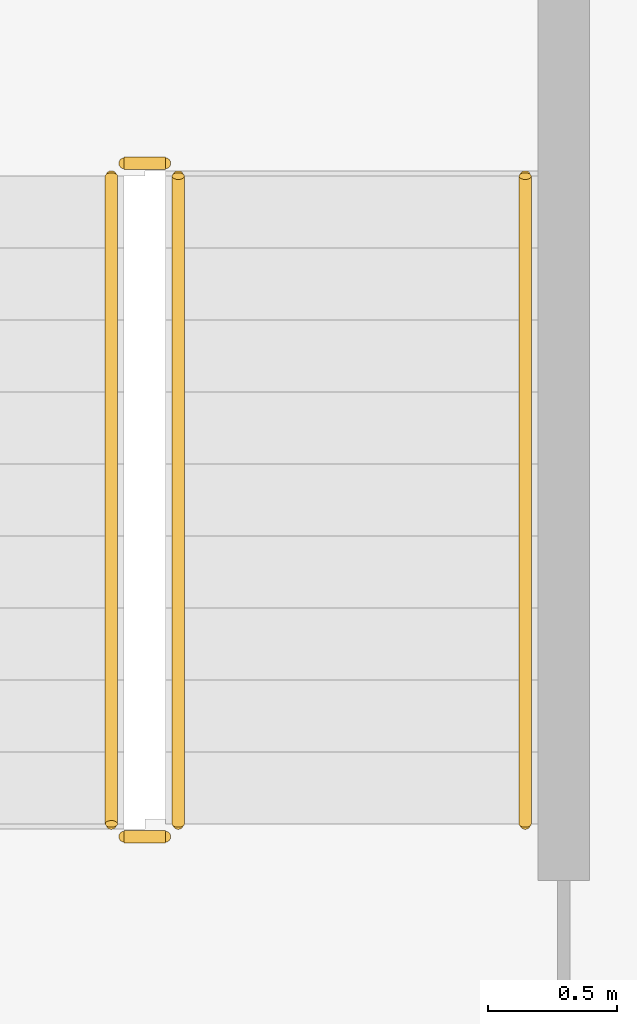
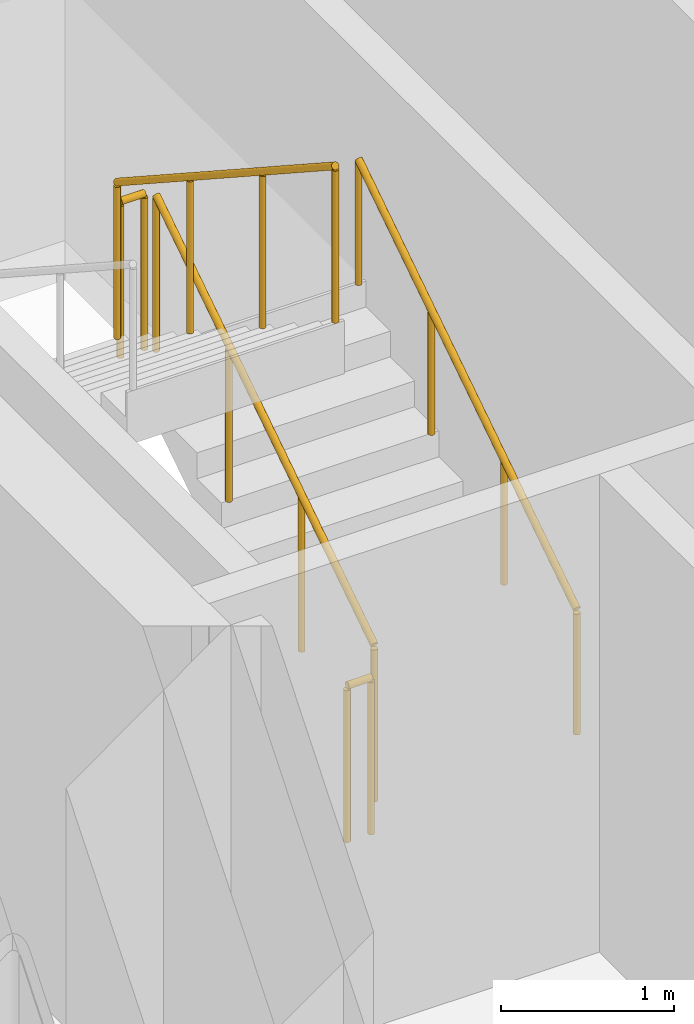
# One storey, part 10 of 12: 5 railings.
"""IFC4 building model written with IfcOpenShell, lengths in metres."""

import ifcopenshell
import ifcopenshell.guid

model = None  # the IFC model being written
_history = None  # IfcOwnerHistory: only IFC2X3 demands one
_inside = {}  # id of a spatial element -> (the spatial element, [elements in it])
_under = {}  # id of a project, library or spatial element -> (it, [spatial elements below it])
_declared = {}  # id of a project -> (the project, [libraries it declares])
_typed = {}  # id of a type object -> (the type object, [elements of that type])
_made_of = {}  # id of a material, layer set ... -> (it, [elements and type objects made of it])


def new_model(schema):
    """Start an empty IFC model of exactly this schema.

    Asked for "IFC4X3", IfcOpenShell would pick the latest addendum, in which some entities
    have other attributes; the version numbers below select the first issue.
    IFC2X3 requires an IfcOwnerHistory on every rooted entity: one is made here for all.
    """
    global model, _history
    if schema == "IFC4X3":
        model = ifcopenshell.file(schema_version=(4, 3, 0, 0))
    else:
        model = ifcopenshell.file(schema=schema)
    _inside.clear()
    _under.clear()
    _declared.clear()
    _typed.clear()
    _made_of.clear()
    _history = None
    if model.schema == "IFC2X3":
        org = make("IfcOrganization", Name="unknown")
        user = make(
            "IfcPersonAndOrganization",
            ThePerson=make("IfcPerson", FamilyName="unknown"),
            TheOrganization=org,
        )
        app = make(
            "IfcApplication",
            ApplicationDeveloper=org,
            Version="unknown",
            ApplicationFullName="unknown",
            ApplicationIdentifier="unknown",
        )
        _history = make(
            "IfcOwnerHistory",
            OwningUser=user,
            OwningApplication=app,
            ChangeAction="ADDED",
            CreationDate=0,
        )
    return model


def make(cls, **values):
    """One entity of the class cls with the attributes given. An attribute that is None is left unset."""
    return model.create_entity(
        cls, **{name: value for name, value in values.items() if value is not None}
    )


def rooted(cls, **values):
    """An entity with a GlobalId (a new one), such as an element, a storey or a relation."""
    return make(cls, GlobalId=ifcopenshell.guid.new(), OwnerHistory=_history, **values)


def si_unit(unit_type, name, prefix=None):
    """IfcSIUnit, for example si_unit("LENGTHUNIT", "METRE", prefix="MILLI")."""
    return make("IfcSIUnit", UnitType=unit_type, Prefix=prefix, Name=name)


def assignment(units):
    """IfcUnitAssignment: the units of a project."""
    return None if units is None else make("IfcUnitAssignment", Units=units)


def point(xyz):
    """IfcCartesianPoint."""
    return None if xyz is None else make("IfcCartesianPoint", Coordinates=xyz)


def direction(xyz):
    """IfcDirection."""
    return None if xyz is None else make("IfcDirection", DirectionRatios=xyz)


def frame(location, z_axis=None, x_axis=None):
    """IfcAxis2Placement3D, a coordinate frame: its origin and axes. An axis left out is left unset."""
    return make(
        "IfcAxis2Placement3D",
        Location=point(location),
        Axis=direction(z_axis),
        RefDirection=direction(x_axis),
    )


def frame_2d(location, x_axis=None):
    """IfcAxis2Placement2D, a coordinate frame in the plane: its origin and x axis."""
    return make(
        "IfcAxis2Placement2D", Location=point(location), RefDirection=direction(x_axis)
    )


def origin():
    """The frame at (0, 0, 0) with its axes left unset."""
    return frame((0.0, 0.0, 0.0))


def origin_2d():
    """The frame at (0, 0) in the plane with its x axis left unset."""
    return frame_2d((0.0, 0.0))


def place(relative_to, where):
    """IfcLocalPlacement: puts the frame where relative to a parent placement (None: the world)."""
    return make(
        "IfcLocalPlacement", PlacementRelTo=relative_to, RelativePlacement=where
    )


def context(
    kind, dimensions, precision=None, world=None, true_north=None, identifier=None
):
    """IfcGeometricRepresentationContext, for example the 3D "Model" context."""
    return make(
        "IfcGeometricRepresentationContext",
        ContextIdentifier=identifier,
        ContextType=kind,
        CoordinateSpaceDimension=dimensions,
        Precision=precision,
        WorldCoordinateSystem=world,
        TrueNorth=true_north,
    )


def subcontext(parent, identifier, kind, view, scale=None):
    """IfcGeometricRepresentationSubContext, for example "Body" below "Model"."""
    return make(
        "IfcGeometricRepresentationSubContext",
        ContextIdentifier=identifier,
        ContextType=kind,
        ParentContext=parent,
        TargetScale=scale,
        TargetView=view,
    )


def project(units=None, contexts=None):
    """IfcProject with its units and contexts."""
    return rooted(
        "IfcProject",
        Name="project",
        RepresentationContexts=contexts,
        UnitsInContext=assignment(units),
    )


def spatial(cls, under=None, at=None, **own):
    """A site, building, storey or space (cls), placed at a placement, below another one or the project."""
    s = rooted(cls, ObjectPlacement=at, **own)
    if under is not None:
        _under.setdefault(under.id(), (under, []))[1].append(s)
    return s


def profile(cls, at=None, kind="AREA", **sizes):
    """A parametric profile (cls). Its sizes go by their IFC names, for example OverallWidth=200.0."""
    return make(cls, ProfileType=kind, Position=at, **sizes)


def circle(**sizes):
    """IfcCircleProfileDef."""
    return profile("IfcCircleProfileDef", **sizes)


def extrude(swept, where, along, depth):
    """IfcExtrudedAreaSolid: the profile swept, set in the frame where, extruded along a direction by depth."""
    return make(
        "IfcExtrudedAreaSolid",
        SweptArea=swept,
        Position=where,
        ExtrudedDirection=direction(along),
        Depth=depth,
    )


def shape(context_of_items, identifier, shape_type, items):
    """IfcShapeRepresentation: the items that make up one representation, for example the "Body"."""
    return make(
        "IfcShapeRepresentation",
        ContextOfItems=context_of_items,
        RepresentationIdentifier=identifier,
        RepresentationType=shape_type,
        Items=items,
    )


def material(Name=None, Category=None):
    """IfcMaterial."""
    return make("IfcMaterial", Name=Name, Category=Category)


def made_of(thing, what):
    """Note that an element or type object is made of a material, layer set ...; save() writes the relation."""
    if what is not None:
        _made_of.setdefault(what.id(), (what, []))[1].append(thing)
    return thing


def type_object(cls, material=None, **own):
    """A type object (cls), such as IfcWallType, which elements share."""
    return made_of(rooted(cls, **own), material)


def element(
    cls,
    number,
    at=None,
    inside=None,
    cuts=None,
    type_object=None,
    material=None,
    context=None,
    identifier="Body",
    shape_type=None,
    held_by="IfcProductDefinitionShape",
    body=None,
    shapes=None,
    **own,
):
    """One element of the class cls, such as IfcWall. Its Tag is "e" and its number.

    at: its placement. inside: the storey or other place that contains it. cuts: it is an
    opening in that element (IfcRelVoidsElement). A single representation is given by context,
    identifier, shape_type and body (its items); several are given by shapes. held_by: the class
    of the entity that holds the representations. save() writes the other relations.
    """
    e = rooted(cls, Tag="e%d" % number, ObjectPlacement=at, **own)
    if body is not None:
        shapes = [shape(context, identifier, shape_type, body)]
    if shapes is not None:
        e.Representation = make(held_by, Representations=shapes)
    if inside is not None:
        _inside.setdefault(inside.id(), (inside, []))[1].append(e)
    if cuts is not None:
        rooted(
            "IfcRelVoidsElement", RelatingBuildingElement=cuts, RelatedOpeningElement=e
        )
    if type_object is not None:
        _typed.setdefault(type_object.id(), (type_object, []))[1].append(e)
    return made_of(e, material)


def aggregate(whole, parts):
    """IfcRelAggregates: a whole, such as a stair, and the parts it consists of."""
    return rooted("IfcRelAggregates", RelatingObject=whole, RelatedObjects=parts)


def save(model, path):
    """Write the relations noted so far, then the file.

    IfcRelAggregates (storeys below a building ...), IfcRelContainedInSpatialStructure (elements
    in a storey), IfcRelDefinesByType, IfcRelAssociatesMaterial and IfcRelDeclares: one each for
    every whole, place, type object, material and project.
    """
    for whole, parts in _under.values():
        aggregate(whole, parts)
    for where, things in _inside.values():
        rooted(
            "IfcRelContainedInSpatialStructure",
            RelatedElements=things,
            RelatingStructure=where,
        )
    for kind, things in _typed.values():
        rooted("IfcRelDefinesByType", RelatedObjects=things, RelatingType=kind)
    for what, things in _made_of.values():
        rooted("IfcRelAssociatesMaterial", RelatedObjects=things, RelatingMaterial=what)
    for by, libraries in _declared.values():
        rooted("IfcRelDeclares", RelatingContext=by, RelatedDefinitions=libraries)
    model.write(path)


model = new_model("IFC4")

# Units and contexts
model_context = context("Model", 3, precision=1e-05, world=origin(), true_north=direction((0.0, 1.0)))
body_context = subcontext(model_context, "Body", "Model", "MODEL_VIEW")
ifc_project = project(units=[si_unit("LENGTHUNIT", "METRE"), si_unit("AREAUNIT", "SQUARE_METRE"), si_unit("VOLUMEUNIT", "CUBIC_METRE"), si_unit("PLANEANGLEUNIT", "RADIAN"), si_unit("MASSUNIT", "GRAM", prefix="KILO")], contexts=[model_context])

# Site, building, storey
site_placement = place(None, origin())
site = spatial("IfcSite", under=ifc_project, at=site_placement, CompositionType="ELEMENT")
building_placement = place(site_placement, origin())
building = spatial("IfcBuilding", under=site, at=building_placement, Name="Nuvemarco Arch Tower", CompositionType="ELEMENT")
storey_placement = place(building_placement, frame((0.0, 0.0, 42.199951171875)))
storey = spatial("IfcBuildingStorey", under=building, at=storey_placement, Name="L10", CompositionType="ELEMENT", Elevation=42.199951171875)

# Railings
ifc_material_1 = material(Name="Brushed stainless steel handrail", Category="steel")
railing_type_1 = type_object("IfcRailingType", Name="RL-HANDRAIL-900", PredefinedType="HANDRAIL", material=ifc_material_1)
railing_1_placement = place(storey_placement, frame((-13.590087890625, 2.64990234375, 0.1826171875)))
element("IfcRailing", 1, at=railing_1_placement, inside=storey, type_object=railing_type_1, Name="L10 ST-1 stair handrail 1", PredefinedType="HANDRAIL", context=body_context, shape_type="SweptSolid", body=[
    extrude(circle(Radius=0.02392578125, at=origin_2d()), frame((0.0, 0.0, 0.8759765625), z_axis=(0.0, 0.837786554691, 0.545997883492), x_axis=(-1.0, 0.0, 0.0)), (0.0, 0.0, 1.0), 3.008056640625),
    extrude(circle(Radius=0.02099609375, at=origin_2d()), origin(), (0.0, 0.0, 1.0), 0.851806640625),
    extrude(circle(Radius=0.02099609375, at=origin_2d()), frame((0.0, 0.840087890625, 0.54736328125)), (0.0, 0.0, 1.0), 0.851806640625),
    extrude(circle(Radius=0.02099609375, at=origin_2d()), frame((0.0, 1.679931640625, 1.094970703125)), (0.0, 0.0, 1.0), 0.851806640625),
    extrude(circle(Radius=0.02099609375, at=origin_2d()), frame((0.0, 2.52001953125, 1.642333984375)), (0.0, 0.0, 1.0), 0.851806640625),
])
ifc_material_2 = material(Name="Painted balustrade steel S355", Category="steel")
railing_type_2 = type_object("IfcRailingType", Name="RL-STAIR-GUARD", PredefinedType="GUARDRAIL", material=ifc_material_2)
railing_2_placement = place(storey_placement, frame((-14.93994140625, 2.64990234375, 0.1826171875)))
element("IfcRailing", 2, at=railing_2_placement, inside=storey, type_object=railing_type_2, Name="L10 ST-1 stair guard 1", PredefinedType="GUARDRAIL", context=body_context, shape_type="SweptSolid", body=[
    extrude(circle(Radius=0.02392578125, at=origin_2d()), frame((0.0, 0.0, 1.09619140625), z_axis=(0.0, 0.837786554691, 0.545997883492), x_axis=(-1.0, 0.0, 0.0)), (0.0, 0.0, 1.0), 3.008056640625),
    extrude(circle(Radius=0.02099609375, at=origin_2d()), origin(), (0.0, 0.0, 1.0), 1.072021484375),
    extrude(circle(Radius=0.02099609375, at=origin_2d()), frame((0.0, 0.840087890625, 0.54736328125)), (0.0, 0.0, 1.0), 1.072021484375),
    extrude(circle(Radius=0.02099609375, at=origin_2d()), frame((0.0, 1.679931640625, 1.094970703125)), (0.0, 0.0, 1.0), 1.072021484375),
    extrude(circle(Radius=0.02099609375, at=origin_2d()), frame((0.0, 2.52001953125, 1.642333984375)), (0.0, 0.0, 1.0), 1.072021484375),
])
railing_3_placement = place(storey_placement, frame((-14.989990234375, 5.219970703125, 1.824951171875)))
element("IfcRailing", 3, at=railing_3_placement, inside=storey, type_object=railing_type_2, Name="L10 ST-1 stair guard 2", PredefinedType="GUARDRAIL", context=body_context, shape_type="SweptSolid", body=[
    extrude(circle(Radius=0.02392578125, at=origin_2d()), frame((0.0, 0.0, 1.09619140625), z_axis=(-1.0, 0.0, 0.0), x_axis=(0.0, -1.0, 0.0)), (0.0, 0.0, 1.0), 0.159912109375),
    extrude(circle(Radius=0.02099609375, at=origin_2d()), origin(), (0.0, 0.0, 1.0), 1.072021484375),
    extrude(circle(Radius=0.02099609375, at=origin_2d()), frame((-0.159912109375, 0.0, 0.0)), (0.0, 0.0, 1.0), 1.072021484375),
])
railing_4_placement = place(storey_placement, frame((-15.199951171875, 5.169921875, 2.007568359375)))
element("IfcRailing", 4, at=railing_4_placement, inside=storey, type_object=railing_type_2, Name="L10 ST-1 stair guard 3", PredefinedType="GUARDRAIL", context=body_context, shape_type="SweptSolid", body=[
    extrude(circle(Radius=0.02392578125, at=origin_2d()), frame((0.0, 0.0, 1.09619140625), z_axis=(0.0, -0.837749427056, 0.546054848405), x_axis=(1.0, 0.0, 0.0)), (0.0, 0.0, 1.0), 3.008056640625),
    extrude(circle(Radius=0.02099609375, at=origin_2d()), origin(), (0.0, 0.0, 1.0), 1.072021484375),
    extrude(circle(Radius=0.02099609375, at=origin_2d()), frame((0.0, -0.840087890625, 0.547607421875)), (0.0, 0.0, 1.0), 1.072021484375),
    extrude(circle(Radius=0.02099609375, at=origin_2d()), frame((0.0, -1.679931640625, 1.094970703125)), (0.0, 0.0, 1.0), 1.072021484375),
    extrude(circle(Radius=0.02099609375, at=origin_2d()), frame((0.0, -2.52001953125, 1.642578125)), (0.0, 0.0, 1.0), 1.072021484375),
])
railing_5_placement = place(storey_placement, frame((-14.989990234375, 2.60009765625, 0.0)))
element("IfcRailing", 5, at=railing_5_placement, inside=storey, type_object=railing_type_2, Name="L10 ST-1 stair guard 4", PredefinedType="GUARDRAIL", context=body_context, shape_type="SweptSolid", body=[
    extrude(circle(Radius=0.02392578125, at=origin_2d()), frame((0.0, 0.0, 1.09619140625), z_axis=(-1.0, 0.0, 0.0), x_axis=(0.0, -1.0, 0.0)), (0.0, 0.0, 1.0), 0.159912109375),
    extrude(circle(Radius=0.02099609375, at=origin_2d()), origin(), (0.0, 0.0, 1.0), 1.072021484375),
    extrude(circle(Radius=0.02099609375, at=origin_2d()), frame((-0.159912109375, 0.0, 0.0)), (0.0, 0.0, 1.0), 1.072021484375),
])

save(model, "model.ifc")
